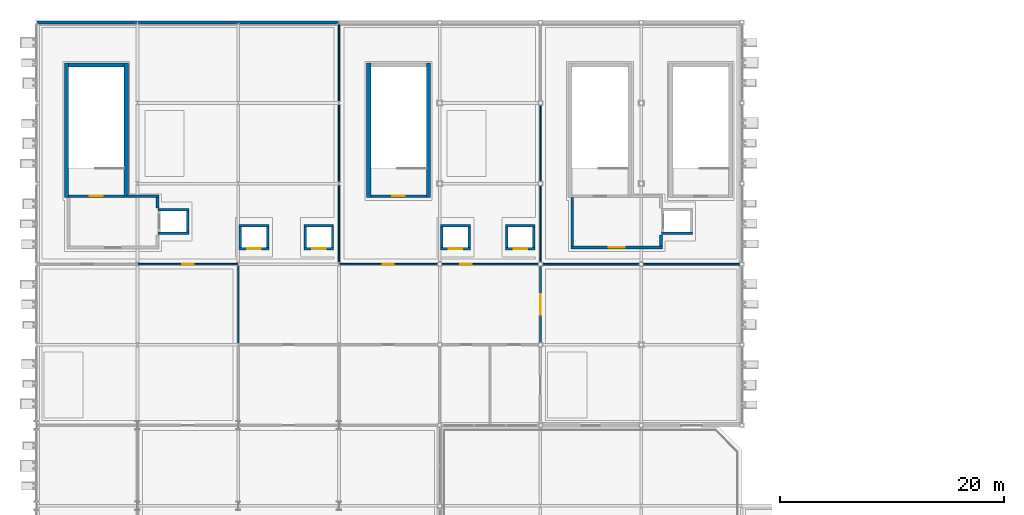
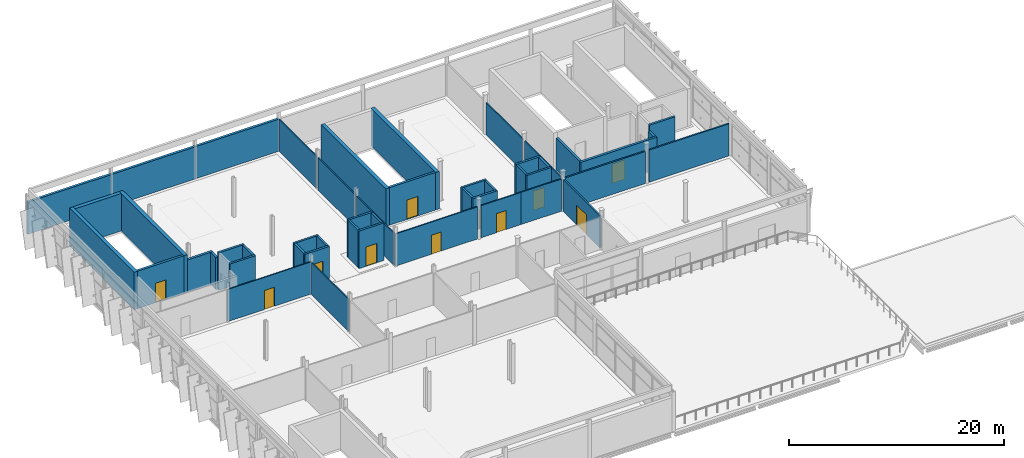
# One storey, part 47 of 52: 48 walls, 11 doors, 11 openings.
"""IFC4 building model written with IfcOpenShell, lengths in metres."""

from ifc_helpers import new_model, si_unit, direction, frame, frame_2d, origin, place, context, subcontext, project, spatial, rectangle, extrude, material, layer, layer_set, type_object, element, fill, save


model = new_model("IFC4")

# Units and contexts
model_context = context("Model", 3, precision=1e-05, world=origin(), true_north=direction((0.0, 1.0)))
body_context = subcontext(model_context, "Body", "Model", "MODEL_VIEW")
ifc_project = project(units=[si_unit("LENGTHUNIT", "METRE"), si_unit("AREAUNIT", "SQUARE_METRE"), si_unit("VOLUMEUNIT", "CUBIC_METRE"), si_unit("PLANEANGLEUNIT", "RADIAN"), si_unit("MASSUNIT", "GRAM", prefix="KILO")], contexts=[model_context])

# Site, building, storey
site_placement = place(None, origin())
site = spatial("IfcSite", under=ifc_project, at=site_placement, CompositionType="ELEMENT")
building_placement = place(site_placement, origin())
building = spatial("IfcBuilding", under=site, at=building_placement, Name="Celestram Park Convention Centre", CompositionType="ELEMENT")
storey_placement = place(building_placement, frame((0.0, 0.0, 24.300048828125)))
storey = spatial("IfcBuildingStorey", under=building, at=storey_placement, Name="L05", CompositionType="ELEMENT", Elevation=24.300048828125)

# Wall, opening, door
ifc_material_1 = material(Name="Concrete Block Masonry C25/30", Category="masonry")
ifc_layer_1 = layer(ifc_material_1, 0.25)
ifc_layer_set_1 = layer_set([ifc_layer_1], Name="Concrete Block Masonry C25/30")
wall_type_1 = type_object("IfcWallType", Name="ARC-WL-COR250", PredefinedType="STANDARD", material=ifc_layer_set_1)
wall_1_placement = place(storey_placement, frame((38.840087890625, 150.074951171875, 0.0), z_axis=(0.0, 0.0, 1.0), x_axis=(1.0, 0.0, 0.0)))
wall_1 = element("IfcWall", 1, at=wall_1_placement, inside=storey, type_object=wall_type_1, Name="Core C1 stair entrance wall", PredefinedType="STANDARD", context=body_context, shape_type="SweptSolid", body=[
    extrude(rectangle(XDim=4.9599609375, YDim=0.25, at=frame_2d((2.47998046875, 0.0))), origin(), (0.0, 0.0, 1.0), 4.260009765625),
])
opening_1_placement = place(wall_1_placement, frame((1.905029296875, 0.0, 0.0)))
opening_1 = element("IfcOpeningElement", 2, at=opening_1_placement, cuts=wall_1, Name="Opening D-ST1", PredefinedType="OPENING", context=body_context, shape_type="SweptSolid", body=[
    extrude(rectangle(XDim=1.14990234375, YDim=2.199951171875, at=frame_2d((0.574951171875, 1.10009765625))), frame((0.0, 0.135009765625, 0.0), z_axis=(0.0, -1.0, 0.0), x_axis=(1.0, 0.0, 0.0)), (0.0, 0.0, 1.0), 0.27001953125),
])
ifc_material_2 = material(Name="Fire-Rated Hollow Metal Steel ASTM A653", Category="steel")
door_type_1 = type_object("IfcDoorType", Name="ARC-DR-ST115", OperationType="NOTDEFINED", PredefinedType="DOOR", material=ifc_material_2)
door_1_placement = place(opening_1_placement, origin())
door_1 = element("IfcDoor", 3, at=door_1_placement, inside=storey, type_object=door_type_1, Name="Exit stair ST-01 fire door", OperationType="SINGLE_SWING_LEFT", OverallHeight=2.199951171875, OverallWidth=1.14990234375, PredefinedType="DOOR", context=body_context, shape_type="SweptSolid", body=[
    extrude(rectangle(XDim=1.14990234375, YDim=2.199951171875, at=frame_2d((0.574951171875, 1.10009765625))), frame((0.0, 0.02490234375, 0.0), z_axis=(0.0, -1.0, 0.0), x_axis=(1.0, 0.0, 0.0)), (0.0, 0.0, 1.0), 0.050048828125),
])
fill(opening_1, door_1)

wall_2_placement = place(storey_placement, frame((65.840087890625, 150.074951171875, 0.0), z_axis=(0.0, 0.0, 1.0), x_axis=(1.0, 0.0, 0.0)))
wall_2 = element("IfcWall", 4, at=wall_2_placement, inside=storey, type_object=wall_type_1, Name="Core S14 stair entrance wall", PredefinedType="STANDARD", context=body_context, shape_type="SweptSolid", body=[
    extrude(rectangle(XDim=4.9599609375, YDim=0.25, at=frame_2d((2.47998046875, 0.0))), origin(), (0.0, 0.0, 1.0), 4.260009765625),
])
opening_2_placement = place(wall_2_placement, frame((1.905029296875, 0.0, 0.0)))
opening_2 = element("IfcOpeningElement", 5, at=opening_2_placement, cuts=wall_2, Name="Opening D-ST1", PredefinedType="OPENING", context=body_context, shape_type="SweptSolid", body=[
    extrude(rectangle(XDim=1.14990234375, YDim=2.199951171875, at=frame_2d((0.574951171875, 1.10009765625))), frame((0.0, 0.135009765625, 0.0), z_axis=(0.0, -1.0, 0.0), x_axis=(1.0, 0.0, 0.0)), (0.0, 0.0, 1.0), 0.27001953125),
])
door_2_placement = place(opening_2_placement, origin())
door_2 = element("IfcDoor", 6, at=door_2_placement, inside=storey, type_object=door_type_1, Name="Exit stair ST-14 fire door", OperationType="SINGLE_SWING_RIGHT", OverallHeight=2.199951171875, OverallWidth=1.14990234375, PredefinedType="DOOR", context=body_context, shape_type="SweptSolid", body=[
    extrude(rectangle(XDim=1.14990234375, YDim=2.199951171875, at=frame_2d((0.574951171875, 1.10009765625))), frame((0.0, 0.02490234375, 0.0), z_axis=(0.0, -1.0, 0.0), x_axis=(1.0, 0.0, 0.0)), (0.0, 0.0, 1.0), 0.050048828125),
])
fill(opening_2, door_2)

# Walls
wall_3_placement = place(storey_placement, frame((46.780029296875, 149.0, 0.0), z_axis=(0.0, 0.0, 1.0), x_axis=(0.0, 1.0, 0.0)))
element("IfcWall", 7, at=wall_3_placement, inside=storey, type_object=wall_type_1, Name="Firefighting Lift Lobby C1 EN wall", PredefinedType="STANDARD", context=body_context, shape_type="SweptSolid", body=[
    extrude(rectangle(XDim=0.949951171875, YDim=0.25, at=frame_2d((0.47509765625, 0.0))), origin(), (0.0, 0.0, 1.0), 3.64794921875),
])
wall_4_placement = place(storey_placement, frame((44.0, 150.074951171875, 0.0), z_axis=(0.0, 0.0, 1.0), x_axis=(1.0, 0.0, 0.0)))
element("IfcWall", 8, at=wall_4_placement, inside=storey, type_object=wall_type_1, Name="Firefighting Lift Lobby C1 N wall", PredefinedType="STANDARD", context=body_context, shape_type="SweptSolid", body=[
    extrude(rectangle(XDim=2.905029296875, YDim=0.25, at=frame_2d((1.45263671875, 0.0))), origin(), (0.0, 0.0, 1.0), 3.64794921875),
])
wall_5_placement = place(storey_placement, frame((83.840087890625, 149.93994140625, 0.0), z_axis=(0.0, 0.0, 1.0), x_axis=(0.0, -1.0, 0.0)))
element("IfcWall", 9, at=wall_5_placement, inside=storey, type_object=wall_type_1, Name="Firefighting Lift Lobby C2 W wall", PredefinedType="STANDARD", context=body_context, shape_type="SweptSolid", body=[
    extrude(rectangle(XDim=4.31494140625, YDim=0.25, at=frame_2d((2.157470703125, 0.0))), origin(), (0.0, 0.0, 1.0), 3.64794921875),
])

# Wall, opening, door
wall_6_placement = place(storey_placement, frame((83.715087890625, 145.5, 0.0), z_axis=(0.0, 0.0, 1.0), x_axis=(1.0, 0.0, 0.0)))
wall_6 = element("IfcWall", 10, at=wall_6_placement, inside=storey, type_object=wall_type_1, Name="Firefighting Lift Lobby C2 S wall", PredefinedType="STANDARD", context=body_context, shape_type="SweptSolid", body=[
    extrude(rectangle(XDim=8.18994140625, YDim=0.25, at=frame_2d((4.094970703125, 0.0))), origin(), (0.0, 0.0, 1.0), 3.64794921875),
])
opening_3_placement = place(wall_6_placement, frame((3.39501953125, 0.0, 0.0)))
opening_3 = element("IfcOpeningElement", 11, at=opening_3_placement, cuts=wall_6, Name="Opening D-LB1", PredefinedType="OPENING", context=body_context, shape_type="SweptSolid", body=[
    extrude(rectangle(XDim=1.39990234375, YDim=2.199951171875, at=frame_2d((0.699951171875, 1.10009765625))), frame((0.0, 0.135009765625, 0.0), z_axis=(0.0, -1.0, 0.0), x_axis=(1.0, 0.0, 0.0)), (0.0, 0.0, 1.0), 0.27001953125),
])
ifc_material_3 = material(Name="Fire-Rated Glazed Steel Frame", Category="steel")
door_type_2 = type_object("IfcDoorType", Name="ARC-DR-LB140", OperationType="NOTDEFINED", PredefinedType="DOOR", material=ifc_material_3)
door_3_placement = place(opening_3_placement, origin())
door_3 = element("IfcDoor", 12, at=door_3_placement, inside=storey, type_object=door_type_2, Name="Firefighting Lift Lobby C2 fire door", OperationType="SINGLE_SWING_LEFT", OverallHeight=2.199951171875, OverallWidth=1.39990234375, PredefinedType="DOOR", context=body_context, shape_type="SweptSolid", body=[
    extrude(rectangle(XDim=1.39990234375, YDim=2.199951171875, at=frame_2d((0.699951171875, 1.10009765625))), frame((0.0, 0.02490234375, 0.0), z_axis=(0.0, -1.0, 0.0), x_axis=(1.0, 0.0, 0.0)), (0.0, 0.0, 1.0), 0.050048828125),
])
fill(opening_3, door_3)

# Walls
wall_7_placement = place(storey_placement, frame((91.780029296875, 145.625, 0.0), z_axis=(0.0, 0.0, 1.0), x_axis=(0.0, 1.0, 0.0)))
element("IfcWall", 13, at=wall_7_placement, inside=storey, type_object=wall_type_1, Name="Firefighting Lift Lobby C2 ES wall", PredefinedType="STANDARD", context=body_context, shape_type="SweptSolid", body=[
    extrude(rectangle(XDim=0.97509765625, YDim=0.25, at=frame_2d((0.487548828125, 0.0))), origin(), (0.0, 0.0, 1.0), 3.64794921875),
])
ifc_material_4 = material(Name="Precast Concrete C40/50", Category="concrete")
ifc_layer_2 = layer(ifc_material_4, 0.260009765625)
ifc_layer_set_2 = layer_set([ifc_layer_2], Name="Precast Concrete C40/50")
wall_type_2 = type_object("IfcWallType", Name="ARC-WL-EXT260", PredefinedType="STANDARD", material=ifc_layer_set_2)
for number, where, z_axis, x_axis, name in (
    (14, (36.0048828125, 165.60009765625, 0.0), (0.0, 0.0, 1.0), (1.0, 0.0, 0.0), "Bush-hammered precast exterior wall WL-L05-EW239"),
    (15, (45.0048828125, 165.60009765625, 0.0), (0.0, 0.0, 1.0), (1.0, 0.0, 0.0), "Bush-hammered precast exterior wall WL-L05-EW240"),
    (16, (54.0048828125, 165.60009765625, 0.0), (0.0, 0.0, 1.0), (1.0, 0.0, 0.0), "Bush-hammered precast exterior wall WL-L05-EW241"),
):
    element("IfcWall", number, at=place(storey_placement, frame(where, z_axis=z_axis, x_axis=x_axis)), inside=storey, type_object=wall_type_2, Name=name, PredefinedType="STANDARD", context=body_context, shape_type="SweptSolid", body=[
        extrude(rectangle(XDim=8.990234375, YDim=0.260009765625, at=frame_2d((4.4951171875, 0.0))), origin(), (0.0, 0.0, 1.0), 3.64794921875),
    ])

# Wall, opening, door
ifc_material_5 = material(Name="Standard Gypsum & Steel Stud 120 mm", Category="steel")
ifc_layer_3 = layer(ifc_material_5, 0.1201171875)
ifc_layer_set_3 = layer_set([ifc_layer_3], Name="Standard Gypsum & Steel Stud 120 mm")
wall_type_3 = type_object("IfcWallType", Name="ARC-WL-PRT120", PredefinedType="PARTITIONING", material=ifc_layer_set_3)
wall_8_placement = place(storey_placement, frame((45.0048828125, 144.0, 0.0), z_axis=(0.0, 0.0, 1.0), x_axis=(1.0, 0.0, 0.0)))
wall_8 = element("IfcWall", 17, at=wall_8_placement, inside=storey, type_object=wall_type_3, Name="Interior partition WL-L05-IN0994", PredefinedType="PARTITIONING", context=body_context, shape_type="SweptSolid", body=[
    extrude(rectangle(XDim=8.990234375, YDim=0.1201171875, at=frame_2d((4.4951171875, 0.0))), origin(), (0.0, 0.0, 1.0), 3.64794921875),
])
opening_4_placement = place(wall_8_placement, frame((3.969970703125, 0.0, 0.0)))
opening_4 = element("IfcOpeningElement", 18, at=opening_4_placement, cuts=wall_8, Name="Opening D-06", PredefinedType="OPENING", context=body_context, shape_type="SweptSolid", body=[
    extrude(rectangle(XDim=1.050048828125, YDim=2.14990234375, at=frame_2d((0.52490234375, 1.074951171875))), frame((0.0, 0.070068359375, 0.0), z_axis=(0.0, -1.0, 0.0), x_axis=(1.0, 0.0, 0.0)), (0.0, 0.0, 1.0), 0.14013671875),
])
ifc_material_6 = material(Name="Solid Core White Oak Single Door", Category="wood")
door_type_3 = type_object("IfcDoorType", Name="ARC-DR-RM105", OperationType="NOTDEFINED", PredefinedType="DOOR", material=ifc_material_6)
door_4_placement = place(opening_4_placement, origin())
door_4 = element("IfcDoor", 19, at=door_4_placement, inside=storey, type_object=door_type_3, Name="Lake Michigan Horizon Dining Salon entrance door", OperationType="SINGLE_SWING_RIGHT", OverallHeight=2.14990234375, OverallWidth=1.050048828125, PredefinedType="DOOR", context=body_context, shape_type="SweptSolid", body=[
    extrude(rectangle(XDim=1.050048828125, YDim=2.14990234375, at=frame_2d((0.52490234375, 1.074951171875))), frame((0.0, 0.02490234375, 0.0), z_axis=(0.0, -1.0, 0.0), x_axis=(1.0, 0.0, 0.0)), (0.0, 0.0, 1.0), 0.050048828125),
])
fill(opening_4, door_4)

wall_9_placement = place(storey_placement, frame((63.0048828125, 144.0, 0.0), z_axis=(0.0, 0.0, 1.0), x_axis=(1.0, 0.0, 0.0)))
wall_9 = element("IfcWall", 20, at=wall_9_placement, inside=storey, type_object=wall_type_3, Name="Interior partition WL-L05-IN0995", PredefinedType="PARTITIONING", context=body_context, shape_type="SweptSolid", body=[
    extrude(rectangle(XDim=8.796142578125, YDim=0.1201171875, at=frame_2d((4.39794921875, 0.0))), origin(), (0.0, 0.0, 1.0), 3.64794921875),
])
opening_5_placement = place(wall_9_placement, frame((3.89794921875, 0.0, 0.0)))
opening_5 = element("IfcOpeningElement", 21, at=opening_5_placement, cuts=wall_9, Name="Opening D-07", PredefinedType="OPENING", context=body_context, shape_type="SweptSolid", body=[
    extrude(rectangle(XDim=1.0, YDim=2.14990234375, at=frame_2d((0.5, 1.074951171875))), frame((0.0, 0.070068359375, 0.0), z_axis=(0.0, -1.0, 0.0), x_axis=(1.0, 0.0, 0.0)), (0.0, 0.0, 1.0), 0.14013671875),
])
door_type_4 = type_object("IfcDoorType", Name="ARC-DR-RM100", OperationType="NOTDEFINED", PredefinedType="DOOR", material=ifc_material_6)
door_5_placement = place(opening_5_placement, origin())
door_5 = element("IfcDoor", 22, at=door_5_placement, inside=storey, type_object=door_type_4, Name="Diplomatic VIP Briefing Room entrance door", OperationType="SINGLE_SWING_LEFT", OverallHeight=2.14990234375, OverallWidth=1.0, PredefinedType="DOOR", context=body_context, shape_type="SweptSolid", body=[
    extrude(rectangle(XDim=1.0, YDim=2.14990234375, at=frame_2d((0.5, 1.074951171875))), frame((0.0, 0.02490234375, 0.0), z_axis=(0.0, -1.0, 0.0), x_axis=(1.0, 0.0, 0.0)), (0.0, 0.0, 1.0), 0.050048828125),
])
fill(opening_5, door_5)

wall_10_placement = place(storey_placement, frame((72.198974609375, 144.0, 0.0), z_axis=(0.0, 0.0, 1.0), x_axis=(1.0, 0.0, 0.0)))
wall_10 = element("IfcWall", 23, at=wall_10_placement, inside=storey, type_object=wall_type_3, Name="Interior partition WL-L05-IN0996", PredefinedType="PARTITIONING", context=body_context, shape_type="SweptSolid", body=[
    extrude(rectangle(XDim=4.301025390625, YDim=0.1201171875, at=frame_2d((2.150390625, 0.0))), origin(), (0.0, 0.0, 1.0), 3.64794921875),
])
opening_6_placement = place(wall_10_placement, frame((1.62548828125, 0.0, 0.0)))
opening_6 = element("IfcOpeningElement", 24, at=opening_6_placement, cuts=wall_10, Name="Opening D-06", PredefinedType="OPENING", context=body_context, shape_type="SweptSolid", body=[
    extrude(rectangle(XDim=1.050048828125, YDim=2.14990234375, at=frame_2d((0.52490234375, 1.074951171875))), frame((0.0, 0.070068359375, 0.0), z_axis=(0.0, -1.0, 0.0), x_axis=(1.0, 0.0, 0.0)), (0.0, 0.0, 1.0), 0.14013671875),
])
door_6_placement = place(opening_6_placement, origin())
door_6 = element("IfcDoor", 25, at=door_6_placement, inside=storey, type_object=door_type_3, Name="Diplomatic VIP Briefing Room entrance door", OperationType="SINGLE_SWING_RIGHT", OverallHeight=2.14990234375, OverallWidth=1.050048828125, PredefinedType="DOOR", context=body_context, shape_type="SweptSolid", body=[
    extrude(rectangle(XDim=1.050048828125, YDim=2.14990234375, at=frame_2d((0.52490234375, 1.074951171875))), frame((0.0, 0.02490234375, 0.0), z_axis=(0.0, -1.0, 0.0), x_axis=(1.0, 0.0, 0.0)), (0.0, 0.0, 1.0), 0.050048828125),
])
fill(opening_6, door_6)

# Walls
wall_11_placement = place(storey_placement, frame((76.5, 144.0, 0.0), z_axis=(0.0, 0.0, 1.0), x_axis=(1.0, 0.0, 0.0)))
element("IfcWall", 26, at=wall_11_placement, inside=storey, type_object=wall_type_3, Name="Interior partition WL-L05-IN0997", PredefinedType="PARTITIONING", context=body_context, shape_type="SweptSolid", body=[
    extrude(rectangle(XDim=4.301025390625, YDim=0.1201171875, at=frame_2d((2.150390625, 0.0))), origin(), (0.0, 0.0, 1.0), 3.64794921875),
])
for number, where, z_axis, x_axis, name in (
    (27, (54.0, 136.951416015625, 0.0), (0.0, 0.0, 1.0), (0.0, 1.0, 0.0), "Interior partition WL-L05-IN1004"),
    (28, (63.0, 144.151611328125, 0.0), (0.0, 0.0, 1.0), (0.0, 1.0, 0.0), "Interior partition WL-L05-IN1006"),
    (29, (63.0, 151.3515625, 0.0), (0.0, 0.0, 1.0), (0.0, 1.0, 0.0), "Interior partition WL-L05-IN1007"),
    (30, (63.0, 158.551513671875, 0.0), (0.0, 0.0, 1.0), (0.0, 1.0, 0.0), "Interior partition WL-L05-IN1008"),
):
    element("IfcWall", number, at=place(storey_placement, frame(where, z_axis=z_axis, x_axis=x_axis)), inside=storey, type_object=wall_type_3, Name=name, PredefinedType="PARTITIONING", context=body_context, shape_type="SweptSolid", body=[
        extrude(rectangle(XDim=6.89697265625, YDim=0.1201171875, at=frame_2d((3.448486328125, 0.0))), origin(), (0.0, 0.0, 1.0), 3.64794921875),
    ])
for number, where, z_axis, x_axis, name in (
    (31, (81.0, 144.198974609375, 0.0), (0.0, 0.0, 1.0), (0.0, 1.0, 0.0), "Interior partition WL-L05-IN1013"),
    (32, (81.0, 151.39892578125, 0.0), (0.0, 0.0, 1.0), (0.0, 1.0, 0.0), "Interior partition WL-L05-IN1014"),
):
    element("IfcWall", number, at=place(storey_placement, frame(where, z_axis=z_axis, x_axis=x_axis)), inside=storey, type_object=wall_type_3, Name=name, PredefinedType="PARTITIONING", context=body_context, shape_type="SweptSolid", body=[
        extrude(rectangle(XDim=6.802001953125, YDim=0.1201171875, at=frame_2d((3.40087890625, 0.0))), origin(), (0.0, 0.0, 1.0), 3.64794921875),
    ])
ifc_material_7 = material(Name="Acoustic Gypsum & Steel Stud 160 mm", Category="steel")
ifc_layer_4 = layer(ifc_material_7, 0.159912109375)
ifc_layer_set_4 = layer_set([ifc_layer_4], Name="Acoustic Gypsum & Steel Stud 160 mm")
wall_type_4 = type_object("IfcWallType", Name="ARC-WL-PRT160", PredefinedType="PARTITIONING", material=ifc_layer_set_4)
for number, where, z_axis, x_axis, name in (
    (33, (81.198974609375, 144.0, 0.0), (0.0, 0.0, 1.0), (1.0, 0.0, 0.0), "Interior partition WL-L05-IN0998"),
    (34, (90.198974609375, 144.0, 0.0), (0.0, 0.0, 1.0), (1.0, 0.0, 0.0), "Interior partition WL-L05-IN0999"),
):
    element("IfcWall", number, at=place(storey_placement, frame(where, z_axis=z_axis, x_axis=x_axis)), inside=storey, type_object=wall_type_4, Name=name, PredefinedType="PARTITIONING", context=body_context, shape_type="SweptSolid", body=[
        extrude(rectangle(XDim=8.60205078125, YDim=0.159912109375, at=frame_2d((4.301025390625, 0.0))), origin(), (0.0, 0.0, 1.0), 3.64794921875),
    ])

# Wall, opening, door
wall_12_placement = place(storey_placement, frame((81.0, 136.9990234375, 0.0), z_axis=(0.0, 0.0, 1.0), x_axis=(0.0, 1.0, 0.0)))
wall_12 = element("IfcWall", 35, at=wall_12_placement, inside=storey, type_object=wall_type_4, Name="Interior partition WL-L05-IN1012", PredefinedType="PARTITIONING", context=body_context, shape_type="SweptSolid", body=[
    extrude(rectangle(XDim=6.802001953125, YDim=0.159912109375, at=frame_2d((3.40087890625, 0.0))), origin(), (0.0, 0.0, 1.0), 3.64794921875),
])
opening_7_placement = place(wall_12_placement, frame((2.5009765625, 0.0, 0.0)))
opening_7 = element("IfcOpeningElement", 36, at=opening_7_placement, cuts=wall_12, Name="Opening D-04", PredefinedType="OPENING", context=body_context, shape_type="SweptSolid", body=[
    extrude(rectangle(XDim=1.800048828125, YDim=2.25, at=frame_2d((0.89990234375, 1.125))), frame((0.0, 0.08984375, 0.0), z_axis=(0.0, -1.0, 0.0), x_axis=(1.0, 0.0, 0.0)), (0.0, 0.0, 1.0), 0.179931640625),
])
ifc_material_8 = material(Name="Solid White Oak Acoustic Double Door", Category="wood")
door_type_5 = type_object("IfcDoorType", Name="ARC-DR-MTG180", OperationType="NOTDEFINED", PredefinedType="DOOR", material=ifc_material_8)
door_7_placement = place(opening_7_placement, origin())
door_7 = element("IfcDoor", 37, at=door_7_placement, inside=storey, type_object=door_type_5, Name="Crown Summit Assembly Room entrance door", OperationType="DOUBLE_DOOR_SINGLE_SWING", OverallHeight=2.25, OverallWidth=1.800048828125, PredefinedType="DOOR", context=body_context, shape_type="SweptSolid", body=[
    extrude(rectangle(XDim=1.800048828125, YDim=2.25, at=frame_2d((0.89990234375, 1.125))), frame((0.0, 0.02490234375, 0.0), z_axis=(0.0, -1.0, 0.0), x_axis=(1.0, 0.0, 0.0)), (0.0, 0.0, 1.0), 0.050048828125),
])
fill(opening_7, door_7)

# Walls
ifc_layer_5 = layer(ifc_material_1, 0.219970703125)
ifc_layer_set_5 = layer_set([ifc_layer_5], Name="Concrete Block Masonry C25/30")
wall_type_5 = type_object("IfcWallType", Name="ARC-WL-SHF220", PredefinedType="STANDARD", material=ifc_layer_set_5)
for number, where, z_axis, x_axis, name in (
    (38, (46.820068359375, 146.7548828125, 0.0), (0.0, 0.0, 1.0), (1.0, 0.0, 0.0), "Lift LF-01 shaft wall S"),
    (39, (49.580078125, 148.844970703125, 0.0), (0.0, 0.0, 1.0), (-1.0, 0.0, 0.0), "Lift LF-01 shaft wall N"),
):
    element("IfcWall", number, at=place(storey_placement, frame(where, z_axis=z_axis, x_axis=x_axis)), inside=storey, type_object=wall_type_5, Name=name, PredefinedType="STANDARD", context=body_context, shape_type="SweptSolid", body=[
        extrude(rectangle(XDim=2.760009765625, YDim=0.219970703125, at=frame_2d((1.3798828125, 0.0))), origin(), (0.0, 0.0, 1.0), 4.260009765625),
    ])
wall_13_placement = place(storey_placement, frame((49.469970703125, 146.864990234375, 0.0), z_axis=(0.0, 0.0, 1.0), x_axis=(0.0, 1.0, 0.0)))
element("IfcWall", 40, at=wall_13_placement, inside=storey, type_object=wall_type_5, Name="Lift LF-01 shaft wall E", PredefinedType="STANDARD", context=body_context, shape_type="SweptSolid", body=[
    extrude(rectangle(XDim=1.8701171875, YDim=0.219970703125, at=frame_2d((0.93505859375, 0.0))), origin(), (0.0, 0.0, 1.0), 4.260009765625),
])

# Wall, opening, door
wall_14_placement = place(storey_placement, frame((54.070068359375, 145.3798828125, 0.0), z_axis=(0.0, 0.0, 1.0), x_axis=(1.0, 0.0, 0.0)))
wall_14 = element("IfcWall", 41, at=wall_14_placement, inside=storey, type_object=wall_type_5, Name="Lift LP-01 shaft wall S", PredefinedType="STANDARD", context=body_context, shape_type="SweptSolid", body=[
    extrude(rectangle(XDim=2.659912109375, YDim=0.219970703125, at=frame_2d((1.330078125, 0.0))), origin(), (0.0, 0.0, 1.0), 3.64794921875),
])
opening_8_placement = place(wall_14_placement, frame((0.72998046875, 0.0, 0.0)))
opening_8 = element("IfcOpeningElement", 42, at=opening_8_placement, cuts=wall_14, Name="Opening LD-01", PredefinedType="OPENING", context=body_context, shape_type="SweptSolid", body=[
    extrude(rectangle(XDim=1.199951171875, YDim=2.199951171875, at=frame_2d((0.60009765625, 1.10009765625))), frame((0.0, 0.119873046875, 0.0), z_axis=(0.0, -1.0, 0.0), x_axis=(1.0, 0.0, 0.0)), (0.0, 0.0, 1.0), 0.239990234375),
])
ifc_material_9 = material(Name="Brushed Stainless Steel AISI 304", Category="steel")
door_type_6 = type_object("IfcDoorType", Name="ARC-DR-LFT120", OperationType="NOTDEFINED", PredefinedType="DOOR", material=ifc_material_9)
door_8_placement = place(opening_8_placement, origin())
door_8 = element("IfcDoor", 43, at=door_8_placement, inside=storey, type_object=door_type_6, Name="Lift LP-01 sliding landing door", OperationType="DOUBLE_DOOR_SLIDING", OverallHeight=2.199951171875, OverallWidth=1.199951171875, PredefinedType="DOOR", context=body_context, shape_type="SweptSolid", body=[
    extrude(rectangle(XDim=1.199951171875, YDim=2.199951171875, at=frame_2d((0.60009765625, 1.10009765625))), frame((0.0, 0.02490234375, 0.0), z_axis=(0.0, -1.0, 0.0), x_axis=(1.0, 0.0, 0.0)), (0.0, 0.0, 1.0), 0.050048828125),
])
fill(opening_8, door_8)

# Walls
wall_15_placement = place(storey_placement, frame((56.72998046875, 147.419921875, 0.0), z_axis=(0.0, 0.0, 1.0), x_axis=(-1.0, 0.0, 0.0)))
element("IfcWall", 44, at=wall_15_placement, inside=storey, type_object=wall_type_5, Name="Lift LP-01 shaft wall N", PredefinedType="STANDARD", context=body_context, shape_type="SweptSolid", body=[
    extrude(rectangle(XDim=2.659912109375, YDim=0.219970703125, at=frame_2d((1.330078125, 0.0))), origin(), (0.0, 0.0, 1.0), 3.64794921875),
])
for number, where, z_axis, x_axis, name in (
    (45, (54.179931640625, 147.31005859375, 0.0), (0.0, 0.0, 1.0), (0.0, -1.0, 0.0), "Lift LP-01 shaft wall W"),
    (46, (56.6201171875, 145.489990234375, 0.0), (0.0, 0.0, 1.0), (0.0, 1.0, 0.0), "Lift LP-01 shaft wall E"),
):
    element("IfcWall", number, at=place(storey_placement, frame(where, z_axis=z_axis, x_axis=x_axis)), inside=storey, type_object=wall_type_5, Name=name, PredefinedType="STANDARD", context=body_context, shape_type="SweptSolid", body=[
        extrude(rectangle(XDim=1.820068359375, YDim=0.219970703125, at=frame_2d((0.91015625, 0.0))), origin(), (0.0, 0.0, 1.0), 3.64794921875),
    ])

# Wall, opening, door
wall_16_placement = place(storey_placement, frame((59.8701171875, 145.3798828125, 0.0), z_axis=(0.0, 0.0, 1.0), x_axis=(1.0, 0.0, 0.0)))
wall_16 = element("IfcWall", 47, at=wall_16_placement, inside=storey, type_object=wall_type_5, Name="Lift LP-02 shaft wall S", PredefinedType="STANDARD", context=body_context, shape_type="SweptSolid", body=[
    extrude(rectangle(XDim=2.659912109375, YDim=0.219970703125, at=frame_2d((1.330078125, 0.0))), origin(), (0.0, 0.0, 1.0), 4.260009765625),
])
opening_9_placement = place(wall_16_placement, frame((0.72998046875, 0.0, 0.0)))
opening_9 = element("IfcOpeningElement", 48, at=opening_9_placement, cuts=wall_16, Name="Opening LD-01", PredefinedType="OPENING", context=body_context, shape_type="SweptSolid", body=[
    extrude(rectangle(XDim=1.199951171875, YDim=2.199951171875, at=frame_2d((0.60009765625, 1.10009765625))), frame((0.0, 0.119873046875, 0.0), z_axis=(0.0, -1.0, 0.0), x_axis=(1.0, 0.0, 0.0)), (0.0, 0.0, 1.0), 0.239990234375),
])
door_9_placement = place(opening_9_placement, origin())
door_9 = element("IfcDoor", 49, at=door_9_placement, inside=storey, type_object=door_type_6, Name="Lift LP-02 sliding landing door", OperationType="DOUBLE_DOOR_SLIDING", OverallHeight=2.199951171875, OverallWidth=1.199951171875, PredefinedType="DOOR", context=body_context, shape_type="SweptSolid", body=[
    extrude(rectangle(XDim=1.199951171875, YDim=2.199951171875, at=frame_2d((0.60009765625, 1.10009765625))), frame((0.0, 0.02490234375, 0.0), z_axis=(0.0, -1.0, 0.0), x_axis=(1.0, 0.0, 0.0)), (0.0, 0.0, 1.0), 0.050048828125),
])
fill(opening_9, door_9)

# Walls
wall_17_placement = place(storey_placement, frame((62.530029296875, 147.419921875, 0.0), z_axis=(0.0, 0.0, 1.0), x_axis=(-1.0, 0.0, 0.0)))
element("IfcWall", 50, at=wall_17_placement, inside=storey, type_object=wall_type_5, Name="Lift LP-02 shaft wall N", PredefinedType="STANDARD", context=body_context, shape_type="SweptSolid", body=[
    extrude(rectangle(XDim=2.659912109375, YDim=0.219970703125, at=frame_2d((1.330078125, 0.0))), origin(), (0.0, 0.0, 1.0), 4.260009765625),
])
for number, where, z_axis, x_axis, name in (
    (51, (59.97998046875, 147.31005859375, 0.0), (0.0, 0.0, 1.0), (0.0, -1.0, 0.0), "Lift LP-02 shaft wall W"),
    (52, (62.419921875, 145.489990234375, 0.0), (0.0, 0.0, 1.0), (0.0, 1.0, 0.0), "Lift LP-02 shaft wall E"),
):
    element("IfcWall", number, at=place(storey_placement, frame(where, z_axis=z_axis, x_axis=x_axis)), inside=storey, type_object=wall_type_5, Name=name, PredefinedType="STANDARD", context=body_context, shape_type="SweptSolid", body=[
        extrude(rectangle(XDim=1.820068359375, YDim=0.219970703125, at=frame_2d((0.91015625, 0.0))), origin(), (0.0, 0.0, 1.0), 4.260009765625),
    ])
wall_18_placement = place(storey_placement, frame((91.820068359375, 146.7548828125, 0.0), z_axis=(0.0, 0.0, 1.0), x_axis=(1.0, 0.0, 0.0)))
element("IfcWall", 53, at=wall_18_placement, inside=storey, type_object=wall_type_5, Name="Lift LF-02 shaft wall S", PredefinedType="STANDARD", context=body_context, shape_type="SweptSolid", body=[
    extrude(rectangle(XDim=2.760009765625, YDim=0.219970703125, at=frame_2d((1.3798828125, 0.0))), origin(), (0.0, 0.0, 1.0), 4.260009765625),
])

# Wall, opening, door
wall_19_placement = place(storey_placement, frame((72.070068359375, 145.3798828125, 0.0), z_axis=(0.0, 0.0, 1.0), x_axis=(1.0, 0.0, 0.0)))
wall_19 = element("IfcWall", 54, at=wall_19_placement, inside=storey, type_object=wall_type_5, Name="Lift LP-03 shaft wall S", PredefinedType="STANDARD", context=body_context, shape_type="SweptSolid", body=[
    extrude(rectangle(XDim=2.659912109375, YDim=0.219970703125, at=frame_2d((1.330078125, 0.0))), origin(), (0.0, 0.0, 1.0), 3.64794921875),
])
opening_10_placement = place(wall_19_placement, frame((0.72998046875, 0.0, 0.0)))
opening_10 = element("IfcOpeningElement", 55, at=opening_10_placement, cuts=wall_19, Name="Opening LD-01", PredefinedType="OPENING", context=body_context, shape_type="SweptSolid", body=[
    extrude(rectangle(XDim=1.199951171875, YDim=2.199951171875, at=frame_2d((0.60009765625, 1.10009765625))), frame((0.0, 0.119873046875, 0.0), z_axis=(0.0, -1.0, 0.0), x_axis=(1.0, 0.0, 0.0)), (0.0, 0.0, 1.0), 0.239990234375),
])
door_10_placement = place(opening_10_placement, origin())
door_10 = element("IfcDoor", 56, at=door_10_placement, inside=storey, type_object=door_type_6, Name="Lift LP-03 sliding landing door", OperationType="DOUBLE_DOOR_SLIDING", OverallHeight=2.199951171875, OverallWidth=1.199951171875, PredefinedType="DOOR", context=body_context, shape_type="SweptSolid", body=[
    extrude(rectangle(XDim=1.199951171875, YDim=2.199951171875, at=frame_2d((0.60009765625, 1.10009765625))), frame((0.0, 0.02490234375, 0.0), z_axis=(0.0, -1.0, 0.0), x_axis=(1.0, 0.0, 0.0)), (0.0, 0.0, 1.0), 0.050048828125),
])
fill(opening_10, door_10)

# Walls
wall_20_placement = place(storey_placement, frame((74.72998046875, 147.419921875, 0.0), z_axis=(0.0, 0.0, 1.0), x_axis=(-1.0, 0.0, 0.0)))
element("IfcWall", 57, at=wall_20_placement, inside=storey, type_object=wall_type_5, Name="Lift LP-03 shaft wall N", PredefinedType="STANDARD", context=body_context, shape_type="SweptSolid", body=[
    extrude(rectangle(XDim=2.659912109375, YDim=0.219970703125, at=frame_2d((1.330078125, 0.0))), origin(), (0.0, 0.0, 1.0), 3.64794921875),
])
for number, where, z_axis, x_axis, name in (
    (58, (72.179931640625, 147.31005859375, 0.0), (0.0, 0.0, 1.0), (0.0, -1.0, 0.0), "Lift LP-03 shaft wall W"),
    (59, (74.6201171875, 145.489990234375, 0.0), (0.0, 0.0, 1.0), (0.0, 1.0, 0.0), "Lift LP-03 shaft wall E"),
):
    element("IfcWall", number, at=place(storey_placement, frame(where, z_axis=z_axis, x_axis=x_axis)), inside=storey, type_object=wall_type_5, Name=name, PredefinedType="STANDARD", context=body_context, shape_type="SweptSolid", body=[
        extrude(rectangle(XDim=1.820068359375, YDim=0.219970703125, at=frame_2d((0.91015625, 0.0))), origin(), (0.0, 0.0, 1.0), 3.64794921875),
    ])

# Wall, opening, door
wall_21_placement = place(storey_placement, frame((77.8701171875, 145.3798828125, 0.0), z_axis=(0.0, 0.0, 1.0), x_axis=(1.0, 0.0, 0.0)))
wall_21 = element("IfcWall", 60, at=wall_21_placement, inside=storey, type_object=wall_type_5, Name="Lift LP-04 shaft wall S", PredefinedType="STANDARD", context=body_context, shape_type="SweptSolid", body=[
    extrude(rectangle(XDim=2.659912109375, YDim=0.219970703125, at=frame_2d((1.330078125, 0.0))), origin(), (0.0, 0.0, 1.0), 4.260009765625),
])
opening_11_placement = place(wall_21_placement, frame((0.72998046875, 0.0, 0.0)))
opening_11 = element("IfcOpeningElement", 61, at=opening_11_placement, cuts=wall_21, Name="Opening LD-01", PredefinedType="OPENING", context=body_context, shape_type="SweptSolid", body=[
    extrude(rectangle(XDim=1.199951171875, YDim=2.199951171875, at=frame_2d((0.60009765625, 1.10009765625))), frame((0.0, 0.119873046875, 0.0), z_axis=(0.0, -1.0, 0.0), x_axis=(1.0, 0.0, 0.0)), (0.0, 0.0, 1.0), 0.239990234375),
])
door_11_placement = place(opening_11_placement, origin())
door_11 = element("IfcDoor", 62, at=door_11_placement, inside=storey, type_object=door_type_6, Name="Lift LP-04 sliding landing door", OperationType="DOUBLE_DOOR_SLIDING", OverallHeight=2.199951171875, OverallWidth=1.199951171875, PredefinedType="DOOR", context=body_context, shape_type="SweptSolid", body=[
    extrude(rectangle(XDim=1.199951171875, YDim=2.199951171875, at=frame_2d((0.60009765625, 1.10009765625))), frame((0.0, 0.02490234375, 0.0), z_axis=(0.0, -1.0, 0.0), x_axis=(1.0, 0.0, 0.0)), (0.0, 0.0, 1.0), 0.050048828125),
])
fill(opening_11, door_11)

# Walls
wall_22_placement = place(storey_placement, frame((80.530029296875, 147.419921875, 0.0), z_axis=(0.0, 0.0, 1.0), x_axis=(-1.0, 0.0, 0.0)))
element("IfcWall", 63, at=wall_22_placement, inside=storey, type_object=wall_type_5, Name="Lift LP-04 shaft wall N", PredefinedType="STANDARD", context=body_context, shape_type="SweptSolid", body=[
    extrude(rectangle(XDim=2.659912109375, YDim=0.219970703125, at=frame_2d((1.330078125, 0.0))), origin(), (0.0, 0.0, 1.0), 4.260009765625),
])
for number, where, z_axis, x_axis, name in (
    (64, (77.97998046875, 147.31005859375, 0.0), (0.0, 0.0, 1.0), (0.0, -1.0, 0.0), "Lift LP-04 shaft wall W"),
    (65, (80.419921875, 145.489990234375, 0.0), (0.0, 0.0, 1.0), (0.0, 1.0, 0.0), "Lift LP-04 shaft wall E"),
):
    element("IfcWall", number, at=place(storey_placement, frame(where, z_axis=z_axis, x_axis=x_axis)), inside=storey, type_object=wall_type_5, Name=name, PredefinedType="STANDARD", context=body_context, shape_type="SweptSolid", body=[
        extrude(rectangle(XDim=1.820068359375, YDim=0.219970703125, at=frame_2d((0.91015625, 0.0))), origin(), (0.0, 0.0, 1.0), 4.260009765625),
    ])
ifc_material_10 = material(Name="Concrete C40/50", Category="concrete")
ifc_layer_6 = layer(ifc_material_10, 0.3798828125)
ifc_layer_set_6 = layer_set([ifc_layer_6], Name="Concrete C40/50")
wall_type_6 = type_object("IfcWallType", Name="STR-WL-SHR380", PredefinedType="SHEAR", material=ifc_layer_set_6)
for number, where, z_axis, x_axis, name in (
    (66, (38.64990234375, 149.949951171875, 0.0), (0.0, 0.0, 1.0), (0.0, 1.0, 0.0), "Core C1 shear wall L"),
    (67, (43.989990234375, 161.97998046875, 0.0), (0.0, 0.0, 1.0), (0.0, -1.0, 0.0), "Core C1 shear wall R"),
):
    element("IfcWall", number, at=place(storey_placement, frame(where, z_axis=z_axis, x_axis=x_axis)), inside=storey, type_object=wall_type_6, Name=name, PredefinedType="SHEAR", context=body_context, shape_type="SweptSolid", body=[
        extrude(rectangle(XDim=12.030029296875, YDim=0.3798828125, at=frame_2d((6.01513671875, 0.0))), origin(), (0.0, 0.0, 1.0), 4.260009765625),
    ])
wall_23_placement = place(storey_placement, frame((38.840087890625, 161.7900390625, 0.0), z_axis=(0.0, 0.0, 1.0), x_axis=(1.0, 0.0, 0.0)))
element("IfcWall", 68, at=wall_23_placement, inside=storey, type_object=wall_type_6, Name="Core C1 shear wall F", PredefinedType="SHEAR", context=body_context, shape_type="SweptSolid", body=[
    extrude(rectangle(XDim=4.9599609375, YDim=0.3798828125, at=frame_2d((2.47998046875, 0.0))), origin(), (0.0, 0.0, 1.0), 4.260009765625),
])
for number, where, z_axis, x_axis, name in (
    (69, (65.64990234375, 149.949951171875, 0.0), (0.0, 0.0, 1.0), (0.0, 1.0, 0.0), "Core S14 shear wall L"),
    (70, (70.989990234375, 161.97998046875, 0.0), (0.0, 0.0, 1.0), (0.0, -1.0, 0.0), "Core S14 shear wall R"),
):
    element("IfcWall", number, at=place(storey_placement, frame(where, z_axis=z_axis, x_axis=x_axis)), inside=storey, type_object=wall_type_6, Name=name, PredefinedType="SHEAR", context=body_context, shape_type="SweptSolid", body=[
        extrude(rectangle(XDim=12.030029296875, YDim=0.3798828125, at=frame_2d((6.01513671875, 0.0))), origin(), (0.0, 0.0, 1.0), 4.260009765625),
    ])

save(model, "model.ifc")
